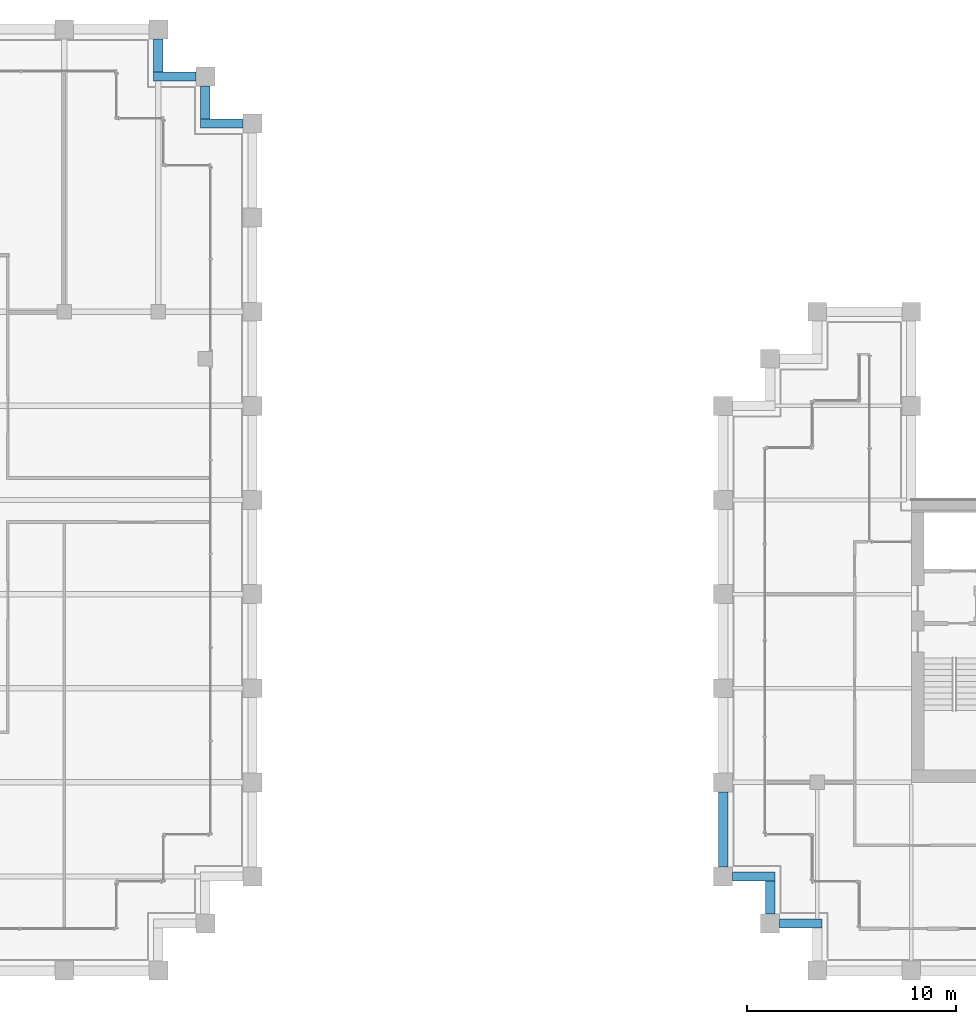
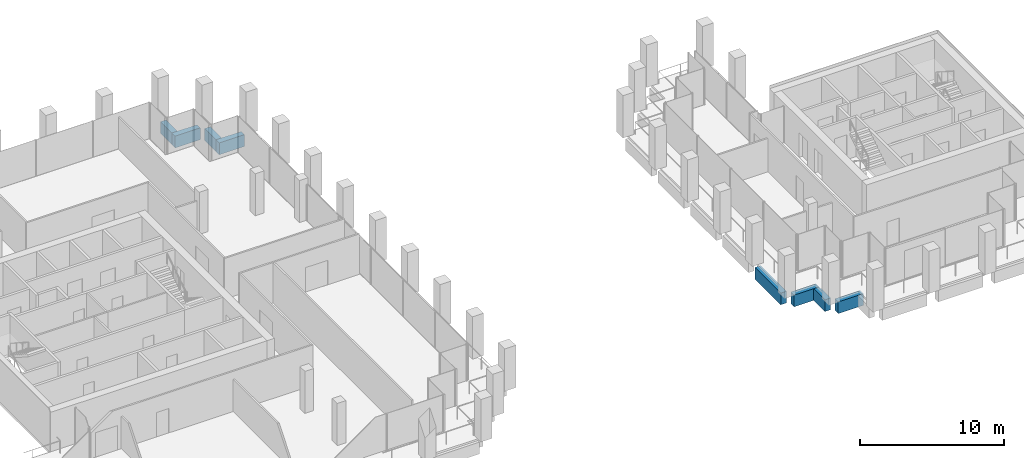
# One storey, part 27 of 40: 8 beams.
"""IFC4 building model written with IfcOpenShell, lengths in metres."""

from ifc_helpers import new_model, si_unit, direction, frame, origin, origin_2d, place, context, subcontext, project, spatial, rectangle, extrude, material, material_profile, profile_set, type_object, element, save


model = new_model("IFC4")

# Units and contexts
model_context = context("Model", 3, precision=1e-05, world=origin(), true_north=direction((0.0, 1.0)))
body_context = subcontext(model_context, "Body", "Model", "MODEL_VIEW")
ifc_project = project(units=[si_unit("LENGTHUNIT", "METRE"), si_unit("AREAUNIT", "SQUARE_METRE"), si_unit("VOLUMEUNIT", "CUBIC_METRE"), si_unit("PLANEANGLEUNIT", "RADIAN"), si_unit("MASSUNIT", "GRAM", prefix="KILO")], contexts=[model_context])

# Site, building, storey
site_placement = place(None, origin())
site = spatial("IfcSite", under=ifc_project, at=site_placement, CompositionType="ELEMENT")
building_placement = place(site_placement, origin())
building = spatial("IfcBuilding", under=site, at=building_placement, Name="Altepetl Exchange Towers", CompositionType="ELEMENT")
storey_placement = place(building_placement, frame((0.0, 0.0, 154.60009765625)))
storey = spatial("IfcBuildingStorey", under=building, at=storey_placement, Name="L38", CompositionType="ELEMENT", Elevation=154.60009765625)

# Beams
ifc_material_1 = material(Name="Concrete C50/60 precast with cantera rosa facing", Category="concrete")
ifc_material_profile_1 = material_profile(ifc_material_1, rectangle(XDim=0.449951171875, YDim=1.0, at=origin_2d()), Name="450 x 1000")
ifc_profile_set_1 = profile_set([ifc_material_profile_1], Name="Concrete C50/60 precast with cantera rosa facing")
beam_type_1 = type_object("IfcBeamType", Name="Spandrel beam 450x1000 cantera rosa", PredefinedType="SPANDREL", material=ifc_profile_set_1)
beam_1_placement = place(storey_placement, frame((71.550048828125, 67.5, -0.650146484375), z_axis=(-1.0, 0.0, 0.0), x_axis=(0.0, -1.0, 0.0)))
element("IfcBeam", 1, at=beam_1_placement, inside=storey, type_object=beam_type_1, Name="sp:A:L38:020", PredefinedType="SPANDREL", context=body_context, shape_type="SweptSolid", body=[
    extrude(rectangle(XDim=0.449951171875, YDim=1.0, at=origin_2d()), origin(), (0.0, 0.0, 1.0), 2.025146484375),
])
beam_2_placement = place(storey_placement, frame((69.75, 67.72509765625, -0.650146484375), z_axis=(0.0, 1.0, 0.0), x_axis=(-1.0, 0.0, 0.0)))
element("IfcBeam", 2, at=beam_2_placement, inside=storey, type_object=beam_type_1, Name="sp:A:L38:021", PredefinedType="SPANDREL", context=body_context, shape_type="SweptSolid", body=[
    extrude(rectangle(XDim=0.449951171875, YDim=1.0, at=origin_2d()), origin(), (0.0, 0.0, 1.0), 1.574951171875),
])
beam_3_placement = place(storey_placement, frame((69.300048828125, 69.75, -0.650146484375), z_axis=(-1.0, 0.0, 0.0), x_axis=(0.0, -1.0, 0.0)))
element("IfcBeam", 3, at=beam_3_placement, inside=storey, type_object=beam_type_1, Name="sp:A:L38:022", PredefinedType="SPANDREL", context=body_context, shape_type="SweptSolid", body=[
    extrude(rectangle(XDim=0.449951171875, YDim=1.0, at=origin_2d()), origin(), (0.0, 0.0, 1.0), 2.025146484375),
])
beam_4_placement = place(storey_placement, frame((67.5, 69.97509765625, -0.650146484375), z_axis=(0.0, 1.0, 0.0), x_axis=(-1.0, 0.0, 0.0)))
element("IfcBeam", 4, at=beam_4_placement, inside=storey, type_object=beam_type_1, Name="sp:A:L38:023", PredefinedType="SPANDREL", context=body_context, shape_type="SweptSolid", body=[
    extrude(rectangle(XDim=0.449951171875, YDim=1.0, at=origin_2d()), origin(), (0.0, 0.0, 1.0), 1.574951171875),
])
ifc_material_2 = material(Name="Concrete C50/60 precast with tezontle facing", Category="concrete")
ifc_material_profile_2 = material_profile(ifc_material_2, rectangle(XDim=0.449951171875, YDim=1.0, at=origin_2d()), Name="450 x 1000")
ifc_profile_set_2 = profile_set([ifc_material_profile_2], Name="Concrete C50/60 precast with tezontle facing")
beam_type_2 = type_object("IfcBeamType", Name="Spandrel beam 450x1000 tezontle", PredefinedType="SPANDREL", material=ifc_profile_set_2)
beam_5_placement = place(storey_placement, frame((94.5, 35.550048828125, -0.650146484375), z_axis=(0.0, -1.0, 0.0), x_axis=(1.0, 0.0, 0.0)))
element("IfcBeam", 5, at=beam_5_placement, inside=storey, type_object=beam_type_2, Name="sp:B:L38:019", PredefinedType="SPANDREL", context=body_context, shape_type="SweptSolid", body=[
    extrude(rectangle(XDim=0.449951171875, YDim=1.0, at=origin_2d()), origin(), (0.0, 0.0, 1.0), 3.60009765625),
])
beam_6_placement = place(storey_placement, frame((94.949951171875, 31.5, -0.650146484375), z_axis=(1.0, 0.0, 0.0), x_axis=(0.0, 1.0, 0.0)))
element("IfcBeam", 6, at=beam_6_placement, inside=storey, type_object=beam_type_2, Name="sp:B:L38:020", PredefinedType="SPANDREL", context=body_context, shape_type="SweptSolid", body=[
    extrude(rectangle(XDim=0.449951171875, YDim=1.0, at=origin_2d()), origin(), (0.0, 0.0, 1.0), 2.025146484375),
])
beam_7_placement = place(storey_placement, frame((96.75, 31.27490234375, -0.650146484375), z_axis=(0.0, -1.0, 0.0), x_axis=(1.0, 0.0, 0.0)))
element("IfcBeam", 7, at=beam_7_placement, inside=storey, type_object=beam_type_2, Name="sp:B:L38:021", PredefinedType="SPANDREL", context=body_context, shape_type="SweptSolid", body=[
    extrude(rectangle(XDim=0.449951171875, YDim=1.0, at=origin_2d()), origin(), (0.0, 0.0, 1.0), 1.574951171875),
])
beam_8_placement = place(storey_placement, frame((97.199951171875, 29.25, -0.650146484375), z_axis=(1.0, 0.0, 0.0), x_axis=(0.0, 1.0, 0.0)))
element("IfcBeam", 8, at=beam_8_placement, inside=storey, type_object=beam_type_2, Name="sp:B:L38:022", PredefinedType="SPANDREL", context=body_context, shape_type="SweptSolid", body=[
    extrude(rectangle(XDim=0.449951171875, YDim=1.0, at=origin_2d()), origin(), (0.0, 0.0, 1.0), 2.025146484375),
])

save(model, "model.ifc")
